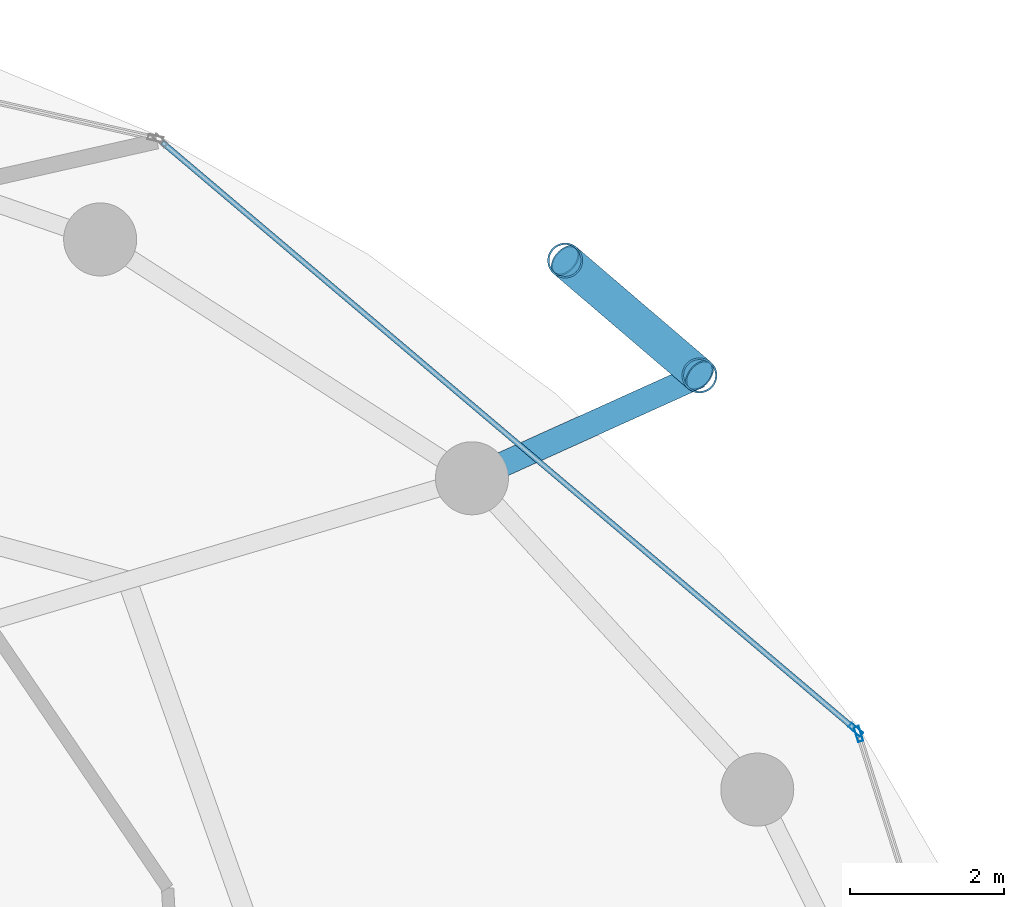
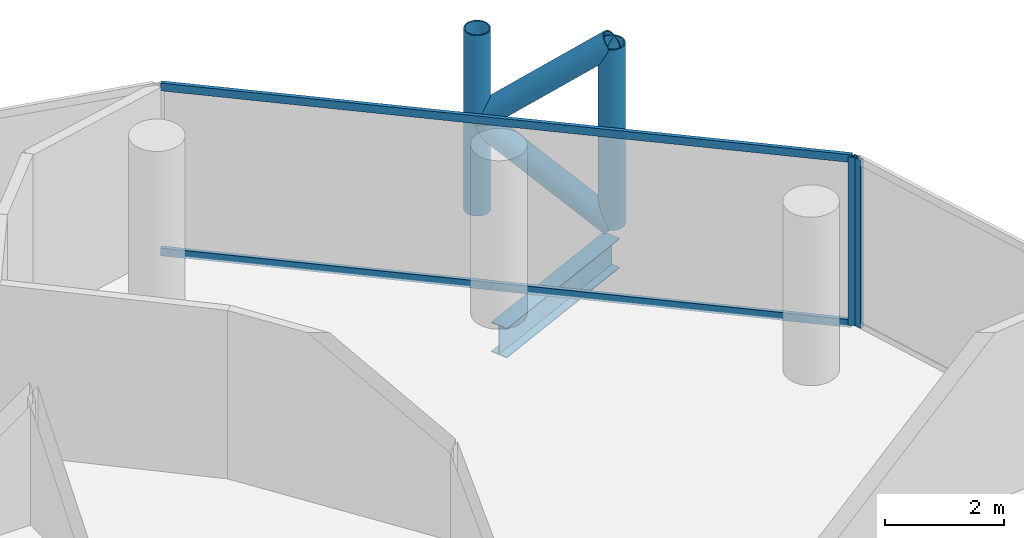
# One storey, part 19 of 26: 8 members, 1 beam, 2 elements without a shape of their own.
"""IFC4 building model written with IfcOpenShell, lengths in metres."""

from ifc_helpers import new_model, si_unit, direction, frame, origin, origin_2d, place, context, subcontext, project, spatial, hollow_rectangle, hollow_circle, i_section, extrude, material, layer, layer_set, material_profile, profile_set, type_object, element, aggregate, save


model = new_model("IFC4")

# Units and contexts
model_context = context("Model", 3, precision=1e-05, world=origin(), true_north=direction((0.0, 1.0)))
body_context = subcontext(model_context, "Body", "Model", "MODEL_VIEW")
ifc_project = project(units=[si_unit("LENGTHUNIT", "METRE"), si_unit("AREAUNIT", "SQUARE_METRE"), si_unit("VOLUMEUNIT", "CUBIC_METRE"), si_unit("PLANEANGLEUNIT", "RADIAN"), si_unit("MASSUNIT", "GRAM", prefix="KILO")], contexts=[model_context])

# Site, building, storey
site_placement = place(None, origin())
site = spatial("IfcSite", under=ifc_project, at=site_placement, CompositionType="ELEMENT")
building_placement = place(site_placement, origin())
building = spatial("IfcBuilding", under=site, at=building_placement, Name="Nuhasar Tower", CompositionType="ELEMENT")
storey_placement = place(building_placement, frame((0.0, 0.0, 125.64990234375)))
storey = spatial("IfcBuildingStorey", under=building, at=storey_placement, Name="L29", CompositionType="ELEMENT", Elevation=125.64990234375)

# Beam
ifc_material_1 = material(Name="Steel S355", Category="steel")
ifc_material_profile_1 = material_profile(ifc_material_1, i_section(OverallWidth=0.323974609375, OverallDepth=0.611083984375, WebThickness=0.0126953125, FlangeThickness=0.01904296875, at=origin_2d()), Name="W24X104")
ifc_profile_set_1 = profile_set([ifc_material_profile_1], Name="Steel S355")
beam_type = type_object("IfcBeamType", Name="BM-TIE-W24X104", PredefinedType="BEAM", material=ifc_profile_set_1)
beam_placement = place(storey_placement, frame((55.510986328125, 40.6240234375, -0.554931640625), z_axis=(0.911239591969, 0.411876687891, 0.0), x_axis=(-0.411876687891, 0.911239591969, 0.0)))
element("IfcBeam", 1, at=beam_placement, inside=storey, type_object=beam_type, Name="L29 Exoskeleton Node Tie Beam 02", PredefinedType="BEAM", context=body_context, shape_type="SweptSolid", body=[
    extrude(i_section(OverallWidth=0.323974609375, OverallDepth=0.611083984375, WebThickness=0.0126953125, FlangeThickness=0.01904296875, at=origin_2d()), origin(), (0.0, 0.0, 1.0), 3.248291015625),
])

# Curtain wall, member
ifc_material_2 = material(Name="Aluminium 6063-T6", Category="aluminium")
ifc_layer = layer(ifc_material_2, 0.199951171875)
ifc_layer_set = layer_set([ifc_layer], Name="Aluminium 6063-T6")
curtain_wall_type = type_object("IfcCurtainWallType", Name="CW-Z2-HTL", PredefinedType="NOTDEFINED", material=ifc_layer_set)
curtain_wall_1_placement = place(storey_placement, origin())
curtain_wall_1 = element("IfcCurtainWall", 2, at=curtain_wall_1_placement, inside=storey, type_object=curtain_wall_type, Name="L29 Unitised Curtain Wall 01", PredefinedType="NOTDEFINED")
ifc_material_profile_2 = material_profile(ifc_material_2, hollow_rectangle(XDim=0.070068359375, YDim=0.199951171875, WallThickness=0.0048828125, at=origin_2d()), Name="CWM-3")
ifc_profile_set_2 = profile_set([ifc_material_profile_2], Name="Aluminium 6063-T6")
member_type_1 = type_object("IfcMemberType", Name="CW-MUL-S3", PredefinedType="MULLION", material=ifc_profile_set_2)
member_1_placement = place(storey_placement, frame((60.53955078125, 37.296630859375, 0.0), z_axis=(0.0, 0.0, 1.0), x_axis=(-0.953433389233, -0.301603667577, 0.0)))
member_1 = element("IfcMember", 3, at=member_1_placement, type_object=member_type_1, Name="CW-Z2 mullion 2", PredefinedType="MULLION", context=body_context, shape_type="SweptSolid", body=[
    extrude(hollow_rectangle(XDim=0.070068359375, YDim=0.199951171875, WallThickness=0.0048828125, at=origin_2d()), origin(), (0.0, 0.0, 1.0), 3.4501953125),
])
aggregate(curtain_wall_1, [member_1])

# Curtain wall, members
curtain_wall_2_placement = place(storey_placement, origin())
curtain_wall_2 = element("IfcCurtainWall", 4, at=curtain_wall_2_placement, inside=storey, type_object=curtain_wall_type, Name="L29 Unitised Curtain Wall 02", PredefinedType="NOTDEFINED")
member_2_placement = place(storey_placement, frame((60.502197265625, 37.3525390625, 0.0), z_axis=(0.0, 0.0, 1.0), x_axis=(-0.646374438324, -0.763020370292, 0.0)))
member_2 = element("IfcMember", 5, at=member_2_placement, type_object=member_type_1, Name="CW-Z2 mullion 1", PredefinedType="MULLION", context=body_context, shape_type="SweptSolid", body=[
    extrude(hollow_rectangle(XDim=0.070068359375, YDim=0.199951171875, WallThickness=0.0048828125, at=origin_2d()), origin(), (0.0, 0.0, 1.0), 3.4501953125),
])
ifc_material_profile_3 = material_profile(ifc_material_2, hollow_rectangle(XDim=0.070068359375, YDim=0.159912109375, WallThickness=0.00439453125, at=origin_2d()), Name="CWT-3")
ifc_profile_set_3 = profile_set([ifc_material_profile_3], Name="Aluminium 6063-T6")
member_type_2 = type_object("IfcMemberType", Name="CW-TRN-S3", PredefinedType="USERDEFINED", material=ifc_profile_set_3)
member_3_placement = place(storey_placement, frame((60.4755859375, 37.375244140625, 0.03515625), z_axis=(-0.763023915269, 0.646370253592, 0.0), x_axis=(-0.646370253592, -0.763023915269, 0.0)))
member_3 = element("IfcMember", 6, at=member_3_placement, type_object=member_type_2, Name="CW-Z2 transom 1.1", ObjectType="TRANSOM", PredefinedType="USERDEFINED", context=body_context, shape_type="SweptSolid", body=[
    extrude(hollow_rectangle(XDim=0.070068359375, YDim=0.159912109375, WallThickness=0.00439453125, at=origin_2d()), origin(), (0.0, 0.0, 1.0), 11.784912109375),
])
member_4_placement = place(storey_placement, frame((60.4755859375, 37.375244140625, 3.4150390625), z_axis=(-0.763023915269, 0.646370253592, 0.0), x_axis=(-0.646370253592, -0.763023915269, 0.0)))
member_4 = element("IfcMember", 7, at=member_4_placement, type_object=member_type_2, Name="CW-Z2 transom 1.2", ObjectType="TRANSOM", PredefinedType="USERDEFINED", context=body_context, shape_type="SweptSolid", body=[
    extrude(hollow_rectangle(XDim=0.070068359375, YDim=0.159912109375, WallThickness=0.00439453125, at=origin_2d()), origin(), (0.0, 0.0, 1.0), 11.784912109375),
])
aggregate(curtain_wall_2, [member_2, member_3, member_4])

# Members
ifc_material_3 = material(Name="Steel S460", Category="steel")
ifc_material_profile_4 = material_profile(ifc_material_3, hollow_circle(Radius=0.228515625, WallThickness=0.022216796875, at=origin_2d()), Name="HSS457X22.2")
ifc_profile_set_4 = profile_set([ifc_material_profile_4], Name="Steel S460")
member_type_3 = type_object("IfcMemberType", Name="EXO-BRONZE-457", PredefinedType="BRACE", material=ifc_profile_set_4)
for number, where, z_axis, x_axis, name in (
    (8, (58.470947265625, 41.9619140625, 0.0), (0.0, 0.0, 1.0), (1.0, 0.0, 0.0), "L29 Exoskeleton Chord Column EC-02A"),
    (9, (56.722900390625, 43.45703125, 0.0), (0.0, 0.0, 1.0), (1.0, 0.0, 0.0), "L29 Exoskeleton Chord Column EC-02B"),
):
    element("IfcMember", number, at=place(storey_placement, frame(where, z_axis=z_axis, x_axis=x_axis)), inside=storey, type_object=member_type_3, Name=name, PredefinedType="BRACE", context=body_context, shape_type="SweptSolid", body=[
        extrude(hollow_circle(Radius=0.228515625, WallThickness=0.022216796875, at=origin_2d()), origin(), (0.0, 0.0, 1.0), 3.7001953125),
    ])
for number, where, z_axis, x_axis, name in (
    (10, (58.470947265625, 41.9619140625, 0.0), (-0.592170370358, 0.506487618445, 0.626741210415), (-0.649986859795, -0.759945446788, 0.0), "L29 Bronze Diagrid Brace W1-02"),
    (11, (56.722900390625, 43.45703125, 1.85009765625), (0.592170370358, -0.506487618445, 0.626741210415), (0.649986859795, 0.759945446788, 0.0), "L29 Bronze Diagrid Brace W2-02"),
):
    element("IfcMember", number, at=place(storey_placement, frame(where, z_axis=z_axis, x_axis=x_axis)), inside=storey, type_object=member_type_3, Name=name, PredefinedType="BRACE", context=body_context, shape_type="SweptSolid", body=[
        extrude(hollow_circle(Radius=0.228515625, WallThickness=0.022216796875, at=origin_2d()), origin(), (0.0, 0.0, 1.0), 2.951904296875),
    ])

save(model, "model.ifc")
